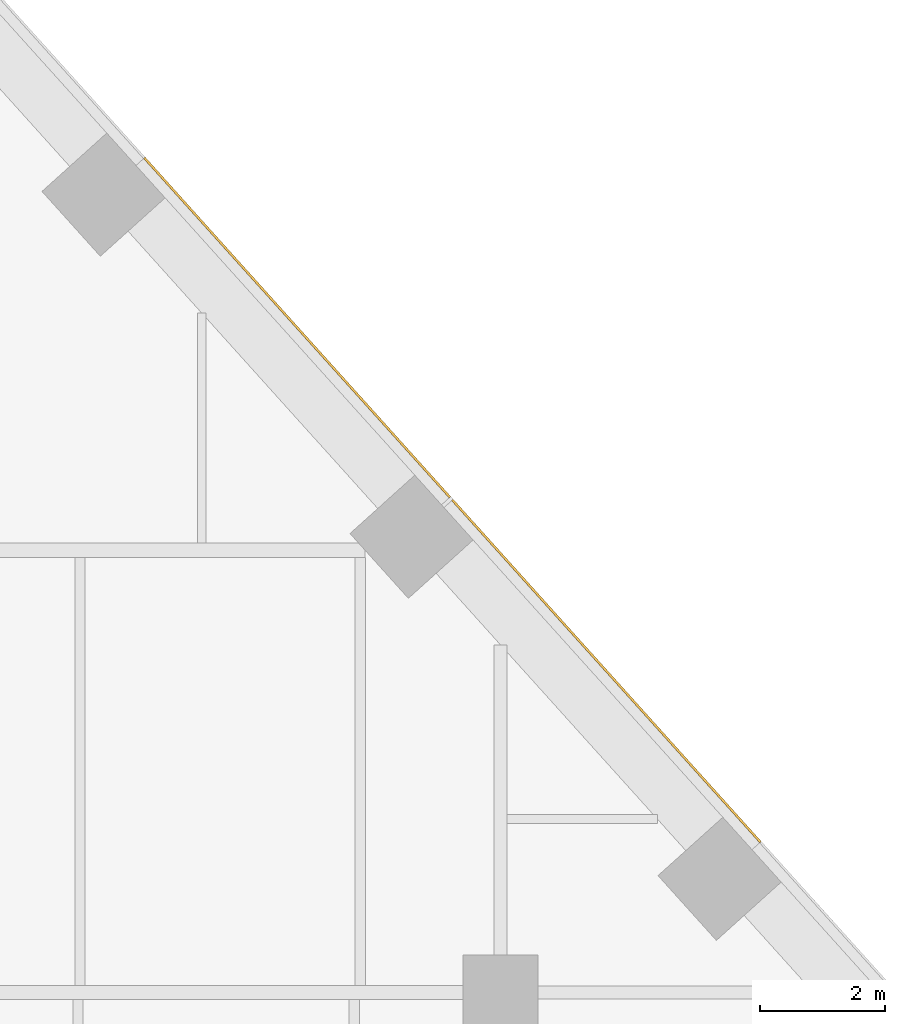
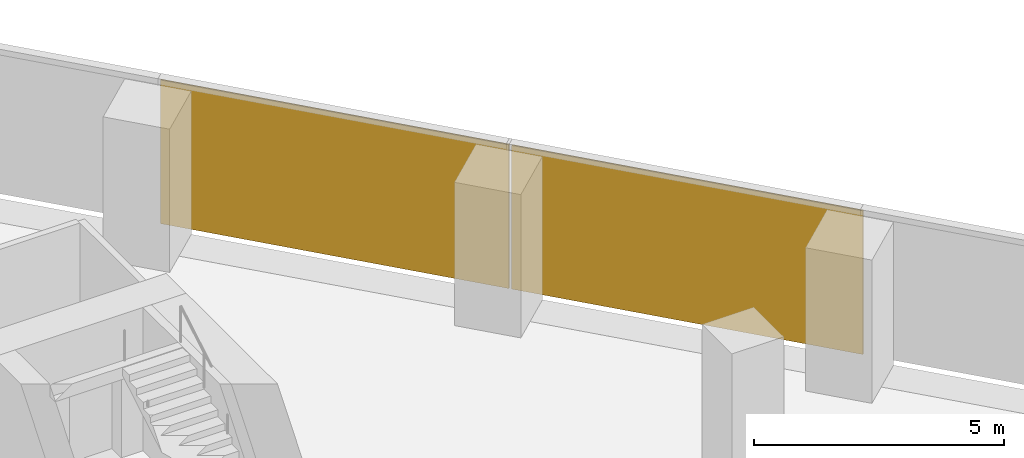
# One storey, part 16 of 16: 2 coverings, 1 element without a shape of its own.
"""IFC4 building model written with IfcOpenShell, lengths in metres."""

from ifc_helpers import new_model, si_unit, direction, frame, origin, origin_2d, place, context, subcontext, project, spatial, rectangle, extrude, material, layer, layer_set, type_object, element, aggregate, save


model = new_model("IFC4")

# Units and contexts
model_context = context("Model", 3, precision=1e-05, world=origin(), true_north=direction((0.0, 1.0)))
body_context = subcontext(model_context, "Body", "Model", "MODEL_VIEW")
ifc_project = project(units=[si_unit("LENGTHUNIT", "METRE"), si_unit("AREAUNIT", "SQUARE_METRE"), si_unit("VOLUMEUNIT", "CUBIC_METRE"), si_unit("PLANEANGLEUNIT", "RADIAN"), si_unit("MASSUNIT", "GRAM", prefix="KILO")], contexts=[model_context])

# Site, building, storey
site_placement = place(None, origin())
site = spatial("IfcSite", under=ifc_project, at=site_placement, CompositionType="ELEMENT")
building_placement = place(site_placement, origin())
building = spatial("IfcBuilding", under=site, at=building_placement, Name="Isthmus Gate Tower", CompositionType="ELEMENT")
storey_placement = place(building_placement, frame((0.0, 0.0, 151.699951171875)))
storey = spatial("IfcBuildingStorey", under=building, at=storey_placement, Name="L37", CompositionType="ELEMENT", Elevation=151.699951171875)

# Curtain wall, coverings
ifc_material_1 = material(Name="Aluminium, pale champagne anodised", Category="aluminium")
ifc_layer_1 = layer(ifc_material_1, 0.199951171875)
ifc_layer_set_1 = layer_set([ifc_layer_1], Name="CW-1 UNITISED CURTAIN WALL 200 DEEP")
curtain_wall_type = type_object("IfcCurtainWallType", Name="CW-1 UNITISED CURTAIN WALL 200 DEEP", PredefinedType="NOTDEFINED", material=ifc_layer_set_1)
curtain_wall_placement = place(storey_placement, origin())
curtain_wall = element("IfcCurtainWall", 1, at=curtain_wall_placement, inside=storey, type_object=curtain_wall_type, Name="CW-1 NE L37", PredefinedType="NOTDEFINED")
ifc_material_2 = material(Name="Aluminium composite panel, pale champagne anodised", Category="aluminium")
ifc_layer_2 = layer(ifc_material_2, 0.035888671875)
ifc_layer_set_2 = layer_set([ifc_layer_2], Name="CW-1 PALE METAL PANEL 36")
covering_type = type_object("IfcCoveringType", Name="CW-1 PALE METAL PANEL 36", PredefinedType="CLADDING", material=ifc_layer_set_2)
covering_1_placement = place(storey_placement, frame((25.70068359375, 12.659423828125, 0.0), z_axis=(0.0, 0.0, 1.0), x_axis=(-0.669130606359, 0.743144825477, 0.0)))
covering_1 = element("IfcCovering", 2, at=covering_1_placement, type_object=covering_type, Name="CW-1 pale metal panel", PredefinedType="CLADDING", context=body_context, shape_type="SweptSolid", body=[
    extrude(rectangle(XDim=7.390869140625, YDim=0.035888671875, at=origin_2d()), origin(), (0.0, 0.0, 1.0), 3.510009765625),
])
covering_2_placement = place(storey_placement, frame((20.735107421875, 18.17431640625, 0.0), z_axis=(0.0, 0.0, 1.0), x_axis=(-0.669130606359, 0.743144825477, 0.0)))
covering_2 = element("IfcCovering", 3, at=covering_2_placement, type_object=covering_type, Name="CW-1 pale metal panel", PredefinedType="CLADDING", context=body_context, shape_type="SweptSolid", body=[
    extrude(rectangle(XDim=7.330810546875, YDim=0.035888671875, at=origin_2d()), origin(), (0.0, 0.0, 1.0), 3.510009765625),
])
aggregate(curtain_wall, [covering_1, covering_2])

save(model, "model.ifc")
